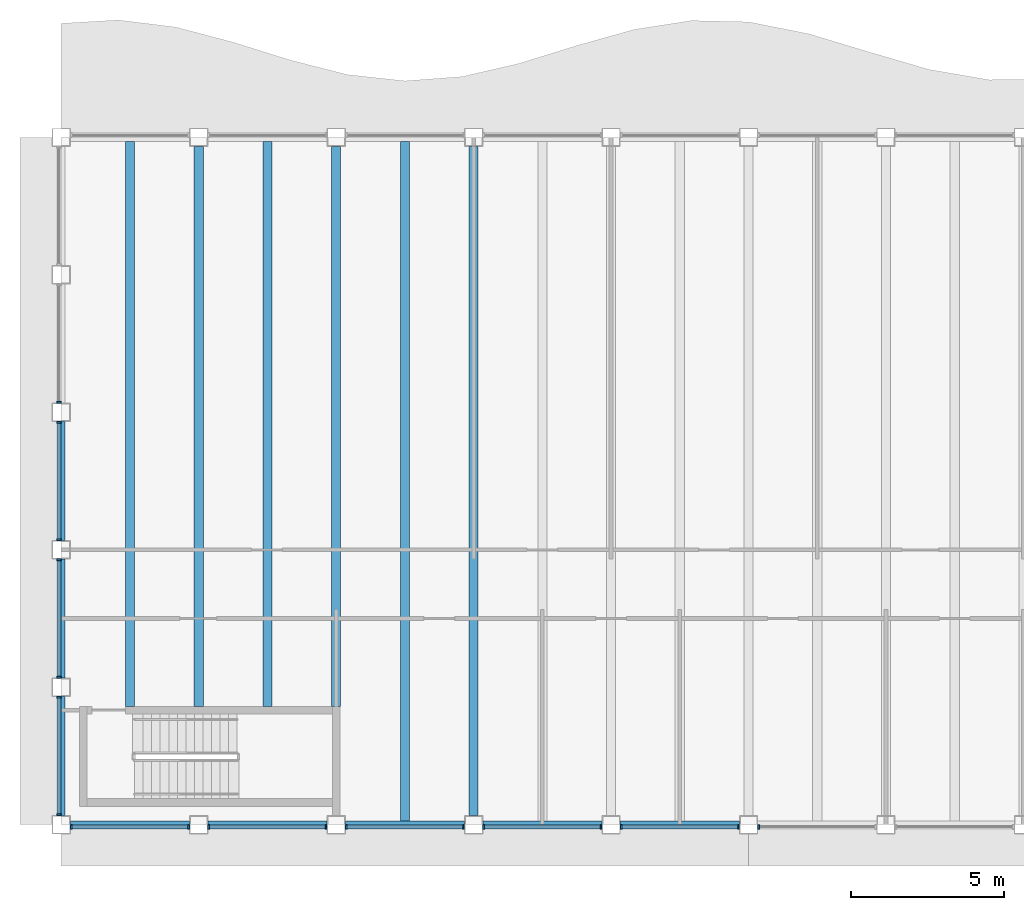
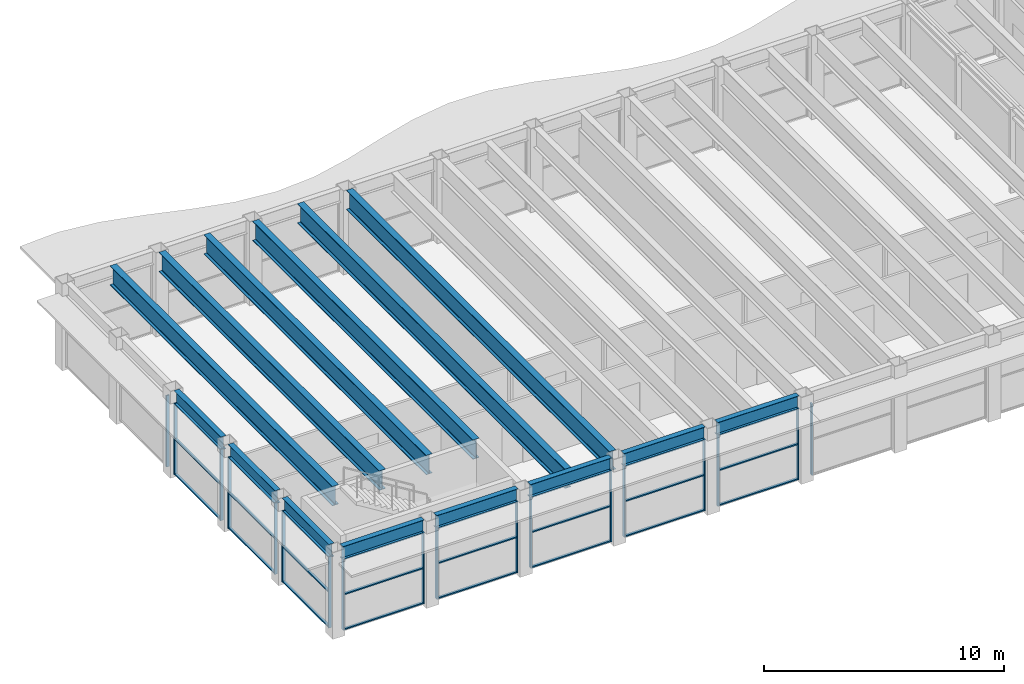
# One storey, part 2 of 15: 42 members, 14 beams, 10 elements without a shape of their own.
"""IFC4 building model written with IfcOpenShell, lengths in metres."""

from ifc_helpers import new_model, si_unit, direction, frame, origin, origin_2d, place, context, subcontext, project, spatial, rectangle, i_section, extrude, material, material_profile, profile_set, type_object, element, aggregate, save


model = new_model("IFC4")

# Units and contexts
model_context = context("Model", 3, precision=1e-05, world=origin(), true_north=direction((0.0, 1.0)))
body_context = subcontext(model_context, "Body", "Model", "MODEL_VIEW")
ifc_project = project(units=[si_unit("LENGTHUNIT", "METRE"), si_unit("AREAUNIT", "SQUARE_METRE"), si_unit("VOLUMEUNIT", "CUBIC_METRE"), si_unit("PLANEANGLEUNIT", "RADIAN"), si_unit("MASSUNIT", "GRAM", prefix="KILO")], contexts=[model_context])

# Site, building, storey
site_placement = place(None, origin())
site = spatial("IfcSite", under=ifc_project, at=site_placement, CompositionType="ELEMENT")
building_placement = place(site_placement, origin())
building = spatial("IfcBuilding", under=site, at=building_placement, Name="Sennacour Bend Tower", CompositionType="ELEMENT")
storey_placement = place(building_placement, frame((0.0, 0.0, 341.0)))
storey = spatial("IfcBuildingStorey", under=building, at=storey_placement, Name="L78", CompositionType="ELEMENT", Elevation=341.0)

# Curtain wall, members
ifc_material_1 = material(Name="Bronze anodised aluminium curtain wall with clear glass", Category="aluminium")
curtain_wall_type = type_object("IfcCurtainWallType", Name="CURTAIN WALL EXEC", PredefinedType="NOTDEFINED", material=ifc_material_1)
curtain_wall_1_placement = place(storey_placement, origin())
curtain_wall_1 = element("IfcCurtainWall", 1, at=curtain_wall_1_placement, inside=storey, type_object=curtain_wall_type, Name="Executive floor glass wall L78", PredefinedType="NOTDEFINED")
ifc_material_2 = material(Name="Aluminium 6063-T6", Category="aluminium")
ifc_material_profile_1 = material_profile(ifc_material_2, rectangle(XDim=0.14990234375, YDim=0.06005859375, at=origin_2d()), Name="Aluminium 6063-T6", Category="aluminium")
ifc_profile_set_1 = profile_set([ifc_material_profile_1], Name="Aluminium 6063-T6")
member_type_1 = type_object("IfcMemberType", Name="CW-MULLION-150X60", PredefinedType="MULLION", material=ifc_profile_set_1)
member_1_placement = place(storey_placement, frame((0.330078125, -0.074951171875, 0.0), z_axis=(0.0, 0.0, 1.0), x_axis=(0.0, 1.0, 0.0)))
member_1 = element("IfcMember", 2, at=member_1_placement, type_object=member_type_1, Name="GW3 curtain wall mullion 1", PredefinedType="MULLION", context=body_context, shape_type="SweptSolid", body=[
    extrude(rectangle(XDim=0.14990234375, YDim=0.06005859375, at=origin_2d()), origin(), (0.0, 0.0, 1.0), 3.6220703125),
])
member_2_placement = place(storey_placement, frame((4.169921875, -0.074951171875, 0.0), z_axis=(0.0, 0.0, 1.0), x_axis=(0.0, 1.0, 0.0)))
member_2 = element("IfcMember", 3, at=member_2_placement, type_object=member_type_1, Name="GW3 curtain wall mullion 2", PredefinedType="MULLION", context=body_context, shape_type="SweptSolid", body=[
    extrude(rectangle(XDim=0.14990234375, YDim=0.06005859375, at=origin_2d()), origin(), (0.0, 0.0, 1.0), 3.6220703125),
])

curtain_wall_2_placement = place(storey_placement, origin())
curtain_wall_2 = element("IfcCurtainWall", 4, at=curtain_wall_2_placement, inside=storey, type_object=curtain_wall_type, Name="Executive floor glass wall L78", PredefinedType="NOTDEFINED")
member_3_placement = place(storey_placement, frame((4.830078125, -0.074951171875, 0.0), z_axis=(0.0, 0.0, 1.0), x_axis=(0.0, 1.0, 0.0)))
member_3 = element("IfcMember", 5, at=member_3_placement, type_object=member_type_1, Name="GW3 curtain wall mullion 1", PredefinedType="MULLION", context=body_context, shape_type="SweptSolid", body=[
    extrude(rectangle(XDim=0.14990234375, YDim=0.06005859375, at=origin_2d()), origin(), (0.0, 0.0, 1.0), 3.6220703125),
])
member_4_placement = place(storey_placement, frame((8.669921875, -0.074951171875, 0.0), z_axis=(0.0, 0.0, 1.0), x_axis=(0.0, 1.0, 0.0)))
member_4 = element("IfcMember", 6, at=member_4_placement, type_object=member_type_1, Name="GW3 curtain wall mullion 2", PredefinedType="MULLION", context=body_context, shape_type="SweptSolid", body=[
    extrude(rectangle(XDim=0.14990234375, YDim=0.06005859375, at=origin_2d()), origin(), (0.0, 0.0, 1.0), 3.6220703125),
])

curtain_wall_3_placement = place(storey_placement, origin())
curtain_wall_3 = element("IfcCurtainWall", 7, at=curtain_wall_3_placement, inside=storey, type_object=curtain_wall_type, Name="Executive floor glass wall L78", PredefinedType="NOTDEFINED")
member_5_placement = place(storey_placement, frame((9.330078125, -0.074951171875, 0.0), z_axis=(0.0, 0.0, 1.0), x_axis=(0.0, 1.0, 0.0)))
member_5 = element("IfcMember", 8, at=member_5_placement, type_object=member_type_1, Name="GW3 curtain wall mullion 1", PredefinedType="MULLION", context=body_context, shape_type="SweptSolid", body=[
    extrude(rectangle(XDim=0.14990234375, YDim=0.06005859375, at=origin_2d()), origin(), (0.0, 0.0, 1.0), 3.6220703125),
])
member_6_placement = place(storey_placement, frame((13.169921875, -0.074951171875, 0.0), z_axis=(0.0, 0.0, 1.0), x_axis=(0.0, 1.0, 0.0)))
member_6 = element("IfcMember", 9, at=member_6_placement, type_object=member_type_1, Name="GW3 curtain wall mullion 2", PredefinedType="MULLION", context=body_context, shape_type="SweptSolid", body=[
    extrude(rectangle(XDim=0.14990234375, YDim=0.06005859375, at=origin_2d()), origin(), (0.0, 0.0, 1.0), 3.6220703125),
])

curtain_wall_4_placement = place(storey_placement, origin())
curtain_wall_4 = element("IfcCurtainWall", 10, at=curtain_wall_4_placement, inside=storey, type_object=curtain_wall_type, Name="Executive floor glass wall L78", PredefinedType="NOTDEFINED")
member_7_placement = place(storey_placement, frame((13.830078125, -0.074951171875, 0.0), z_axis=(0.0, 0.0, 1.0), x_axis=(0.0, 1.0, 0.0)))
member_7 = element("IfcMember", 11, at=member_7_placement, type_object=member_type_1, Name="GW3 curtain wall mullion 1", PredefinedType="MULLION", context=body_context, shape_type="SweptSolid", body=[
    extrude(rectangle(XDim=0.14990234375, YDim=0.06005859375, at=origin_2d()), origin(), (0.0, 0.0, 1.0), 3.6220703125),
])
member_8_placement = place(storey_placement, frame((17.669921875, -0.074951171875, 0.0), z_axis=(0.0, 0.0, 1.0), x_axis=(0.0, 1.0, 0.0)))
member_8 = element("IfcMember", 12, at=member_8_placement, type_object=member_type_1, Name="GW3 curtain wall mullion 2", PredefinedType="MULLION", context=body_context, shape_type="SweptSolid", body=[
    extrude(rectangle(XDim=0.14990234375, YDim=0.06005859375, at=origin_2d()), origin(), (0.0, 0.0, 1.0), 3.6220703125),
])

curtain_wall_5_placement = place(storey_placement, origin())
curtain_wall_5 = element("IfcCurtainWall", 13, at=curtain_wall_5_placement, inside=storey, type_object=curtain_wall_type, Name="Executive floor glass wall L78", PredefinedType="NOTDEFINED")
member_9_placement = place(storey_placement, frame((18.330078125, -0.074951171875, 0.0), z_axis=(0.0, 0.0, 1.0), x_axis=(0.0, 1.0, 0.0)))
member_9 = element("IfcMember", 14, at=member_9_placement, type_object=member_type_1, Name="GW3 curtain wall mullion 1", PredefinedType="MULLION", context=body_context, shape_type="SweptSolid", body=[
    extrude(rectangle(XDim=0.14990234375, YDim=0.06005859375, at=origin_2d()), origin(), (0.0, 0.0, 1.0), 3.6220703125),
])
member_10_placement = place(storey_placement, frame((22.169921875, -0.074951171875, 0.0), z_axis=(0.0, 0.0, 1.0), x_axis=(0.0, 1.0, 0.0)))
member_10 = element("IfcMember", 15, at=member_10_placement, type_object=member_type_1, Name="GW3 curtain wall mullion 2", PredefinedType="MULLION", context=body_context, shape_type="SweptSolid", body=[
    extrude(rectangle(XDim=0.14990234375, YDim=0.06005859375, at=origin_2d()), origin(), (0.0, 0.0, 1.0), 3.6220703125),
])

# Curtain wall, member
curtain_wall_6_placement = place(storey_placement, origin())
curtain_wall_6 = element("IfcCurtainWall", 16, at=curtain_wall_6_placement, inside=storey, type_object=curtain_wall_type, Name="Executive floor glass wall L78", PredefinedType="NOTDEFINED")
member_11_placement = place(storey_placement, frame((22.830078125, -0.074951171875, 0.0), z_axis=(0.0, 0.0, 1.0), x_axis=(0.0, 1.0, 0.0)))
member_11 = element("IfcMember", 17, at=member_11_placement, type_object=member_type_1, Name="GW3 curtain wall mullion 1", PredefinedType="MULLION", context=body_context, shape_type="SweptSolid", body=[
    extrude(rectangle(XDim=0.14990234375, YDim=0.06005859375, at=origin_2d()), origin(), (0.0, 0.0, 1.0), 3.6220703125),
])
aggregate(curtain_wall_6, [member_11])

curtain_wall_7_placement = place(storey_placement, origin())
curtain_wall_7 = element("IfcCurtainWall", 18, at=curtain_wall_7_placement, inside=storey, type_object=curtain_wall_type, Name="Executive floor glass wall L78", PredefinedType="NOTDEFINED")
member_12_placement = place(storey_placement, frame((-0.074951171875, 13.830078125, 0.0), z_axis=(0.0, 0.0, 1.0), x_axis=(1.0, 0.0, 0.0)))
member_12 = element("IfcMember", 19, at=member_12_placement, type_object=member_type_1, Name="GW3 curtain wall mullion 2", PredefinedType="MULLION", context=body_context, shape_type="SweptSolid", body=[
    extrude(rectangle(XDim=0.14990234375, YDim=0.06005859375, at=origin_2d()), origin(), (0.0, 0.0, 1.0), 3.6220703125),
])
aggregate(curtain_wall_7, [member_12])

# Curtain wall, members
curtain_wall_8_placement = place(storey_placement, origin())
curtain_wall_8 = element("IfcCurtainWall", 20, at=curtain_wall_8_placement, inside=storey, type_object=curtain_wall_type, Name="Executive floor glass wall L78", PredefinedType="NOTDEFINED")
member_13_placement = place(storey_placement, frame((-0.074951171875, 13.169921875, 0.0), z_axis=(0.0, 0.0, 1.0), x_axis=(1.0, 0.0, 0.0)))
member_13 = element("IfcMember", 21, at=member_13_placement, type_object=member_type_1, Name="GW3 curtain wall mullion 1", PredefinedType="MULLION", context=body_context, shape_type="SweptSolid", body=[
    extrude(rectangle(XDim=0.14990234375, YDim=0.06005859375, at=origin_2d()), origin(), (0.0, 0.0, 1.0), 3.6220703125),
])
member_14_placement = place(storey_placement, frame((-0.074951171875, 9.330078125, 0.0), z_axis=(0.0, 0.0, 1.0), x_axis=(1.0, 0.0, 0.0)))
member_14 = element("IfcMember", 22, at=member_14_placement, type_object=member_type_1, Name="GW3 curtain wall mullion 2", PredefinedType="MULLION", context=body_context, shape_type="SweptSolid", body=[
    extrude(rectangle(XDim=0.14990234375, YDim=0.06005859375, at=origin_2d()), origin(), (0.0, 0.0, 1.0), 3.6220703125),
])

curtain_wall_9_placement = place(storey_placement, origin())
curtain_wall_9 = element("IfcCurtainWall", 23, at=curtain_wall_9_placement, inside=storey, type_object=curtain_wall_type, Name="Executive floor glass wall L78", PredefinedType="NOTDEFINED")
member_15_placement = place(storey_placement, frame((-0.074951171875, 8.669921875, 0.0), z_axis=(0.0, 0.0, 1.0), x_axis=(1.0, 0.0, 0.0)))
member_15 = element("IfcMember", 24, at=member_15_placement, type_object=member_type_1, Name="GW3 curtain wall mullion 1", PredefinedType="MULLION", context=body_context, shape_type="SweptSolid", body=[
    extrude(rectangle(XDim=0.14990234375, YDim=0.06005859375, at=origin_2d()), origin(), (0.0, 0.0, 1.0), 3.6220703125),
])
member_16_placement = place(storey_placement, frame((-0.074951171875, 4.830078125, 0.0), z_axis=(0.0, 0.0, 1.0), x_axis=(1.0, 0.0, 0.0)))
member_16 = element("IfcMember", 25, at=member_16_placement, type_object=member_type_1, Name="GW3 curtain wall mullion 2", PredefinedType="MULLION", context=body_context, shape_type="SweptSolid", body=[
    extrude(rectangle(XDim=0.14990234375, YDim=0.06005859375, at=origin_2d()), origin(), (0.0, 0.0, 1.0), 3.6220703125),
])

curtain_wall_10_placement = place(storey_placement, origin())
curtain_wall_10 = element("IfcCurtainWall", 26, at=curtain_wall_10_placement, inside=storey, type_object=curtain_wall_type, Name="Executive floor glass wall L78", PredefinedType="NOTDEFINED")
member_17_placement = place(storey_placement, frame((-0.074951171875, 4.169921875, 0.0), z_axis=(0.0, 0.0, 1.0), x_axis=(1.0, 0.0, 0.0)))
member_17 = element("IfcMember", 27, at=member_17_placement, type_object=member_type_1, Name="GW3 curtain wall mullion 1", PredefinedType="MULLION", context=body_context, shape_type="SweptSolid", body=[
    extrude(rectangle(XDim=0.14990234375, YDim=0.06005859375, at=origin_2d()), origin(), (0.0, 0.0, 1.0), 3.6220703125),
])
member_18_placement = place(storey_placement, frame((-0.074951171875, 0.330078125, 0.0), z_axis=(0.0, 0.0, 1.0), x_axis=(1.0, 0.0, 0.0)))
member_18 = element("IfcMember", 28, at=member_18_placement, type_object=member_type_1, Name="GW3 curtain wall mullion 2", PredefinedType="MULLION", context=body_context, shape_type="SweptSolid", body=[
    extrude(rectangle(XDim=0.14990234375, YDim=0.06005859375, at=origin_2d()), origin(), (0.0, 0.0, 1.0), 3.6220703125),
])

# Member
ifc_material_profile_2 = material_profile(ifc_material_2, rectangle(XDim=0.1201171875, YDim=0.06005859375, at=origin_2d()), Name="Aluminium 6063-T6", Category="aluminium")
ifc_profile_set_2 = profile_set([ifc_material_profile_2], Name="Aluminium 6063-T6")
member_type_2 = type_object("IfcMemberType", Name="CW-TRANSOM-120X60", PredefinedType="USERDEFINED", material=ifc_profile_set_2)
member_19_placement = place(storey_placement, frame((0.360107421875, -0.074951171875, 0.030029296875), z_axis=(1.0, 0.0, 0.0), x_axis=(0.0, 1.0, 0.0)))
member_19 = element("IfcMember", 29, at=member_19_placement, type_object=member_type_2, Name="GW3 curtain wall transom 1.1", ObjectType="TRANSOM", PredefinedType="USERDEFINED", context=body_context, shape_type="SweptSolid", body=[
    extrude(rectangle(XDim=0.1201171875, YDim=0.06005859375, at=origin_2d()), origin(), (0.0, 0.0, 1.0), 3.77978515625),
])

member_20_placement = place(storey_placement, frame((0.360107421875, -0.074951171875, 1.81103515625), z_axis=(1.0, 0.0, 0.0), x_axis=(0.0, 1.0, 0.0)))
member_20 = element("IfcMember", 30, at=member_20_placement, type_object=member_type_2, Name="GW3 curtain wall transom 1.2", ObjectType="TRANSOM", PredefinedType="USERDEFINED", context=body_context, shape_type="SweptSolid", body=[
    extrude(rectangle(XDim=0.1201171875, YDim=0.06005859375, at=origin_2d()), origin(), (0.0, 0.0, 1.0), 3.77978515625),
])

member_21_placement = place(storey_placement, frame((0.360107421875, -0.074951171875, 3.592041015625), z_axis=(1.0, 0.0, 0.0), x_axis=(0.0, 1.0, 0.0)))
member_21 = element("IfcMember", 31, at=member_21_placement, type_object=member_type_2, Name="GW3 curtain wall transom 1.3", ObjectType="TRANSOM", PredefinedType="USERDEFINED", context=body_context, shape_type="SweptSolid", body=[
    extrude(rectangle(XDim=0.1201171875, YDim=0.06005859375, at=origin_2d()), origin(), (0.0, 0.0, 1.0), 3.77978515625),
])

aggregate(curtain_wall_1, [member_1, member_2, member_19, member_20, member_21])

member_22_placement = place(storey_placement, frame((4.860107421875, -0.074951171875, 0.030029296875), z_axis=(1.0, 0.0, 0.0), x_axis=(0.0, 1.0, 0.0)))
member_22 = element("IfcMember", 32, at=member_22_placement, type_object=member_type_2, Name="GW3 curtain wall transom 1.1", ObjectType="TRANSOM", PredefinedType="USERDEFINED", context=body_context, shape_type="SweptSolid", body=[
    extrude(rectangle(XDim=0.1201171875, YDim=0.06005859375, at=origin_2d()), origin(), (0.0, 0.0, 1.0), 3.77978515625),
])

member_23_placement = place(storey_placement, frame((4.860107421875, -0.074951171875, 1.81103515625), z_axis=(1.0, 0.0, 0.0), x_axis=(0.0, 1.0, 0.0)))
member_23 = element("IfcMember", 33, at=member_23_placement, type_object=member_type_2, Name="GW3 curtain wall transom 1.2", ObjectType="TRANSOM", PredefinedType="USERDEFINED", context=body_context, shape_type="SweptSolid", body=[
    extrude(rectangle(XDim=0.1201171875, YDim=0.06005859375, at=origin_2d()), origin(), (0.0, 0.0, 1.0), 3.77978515625),
])

member_24_placement = place(storey_placement, frame((4.860107421875, -0.074951171875, 3.592041015625), z_axis=(1.0, 0.0, 0.0), x_axis=(0.0, 1.0, 0.0)))
member_24 = element("IfcMember", 34, at=member_24_placement, type_object=member_type_2, Name="GW3 curtain wall transom 1.3", ObjectType="TRANSOM", PredefinedType="USERDEFINED", context=body_context, shape_type="SweptSolid", body=[
    extrude(rectangle(XDim=0.1201171875, YDim=0.06005859375, at=origin_2d()), origin(), (0.0, 0.0, 1.0), 3.77978515625),
])

aggregate(curtain_wall_2, [member_3, member_4, member_22, member_23, member_24])

member_25_placement = place(storey_placement, frame((9.360107421875, -0.074951171875, 0.030029296875), z_axis=(1.0, 0.0, 0.0), x_axis=(0.0, 1.0, 0.0)))
member_25 = element("IfcMember", 35, at=member_25_placement, type_object=member_type_2, Name="GW3 curtain wall transom 1.1", ObjectType="TRANSOM", PredefinedType="USERDEFINED", context=body_context, shape_type="SweptSolid", body=[
    extrude(rectangle(XDim=0.1201171875, YDim=0.06005859375, at=origin_2d()), origin(), (0.0, 0.0, 1.0), 3.77978515625),
])

member_26_placement = place(storey_placement, frame((9.360107421875, -0.074951171875, 1.81103515625), z_axis=(1.0, 0.0, 0.0), x_axis=(0.0, 1.0, 0.0)))
member_26 = element("IfcMember", 36, at=member_26_placement, type_object=member_type_2, Name="GW3 curtain wall transom 1.2", ObjectType="TRANSOM", PredefinedType="USERDEFINED", context=body_context, shape_type="SweptSolid", body=[
    extrude(rectangle(XDim=0.1201171875, YDim=0.06005859375, at=origin_2d()), origin(), (0.0, 0.0, 1.0), 3.77978515625),
])

member_27_placement = place(storey_placement, frame((9.360107421875, -0.074951171875, 3.592041015625), z_axis=(1.0, 0.0, 0.0), x_axis=(0.0, 1.0, 0.0)))
member_27 = element("IfcMember", 37, at=member_27_placement, type_object=member_type_2, Name="GW3 curtain wall transom 1.3", ObjectType="TRANSOM", PredefinedType="USERDEFINED", context=body_context, shape_type="SweptSolid", body=[
    extrude(rectangle(XDim=0.1201171875, YDim=0.06005859375, at=origin_2d()), origin(), (0.0, 0.0, 1.0), 3.77978515625),
])

aggregate(curtain_wall_3, [member_5, member_6, member_25, member_26, member_27])

member_28_placement = place(storey_placement, frame((13.860107421875, -0.074951171875, 0.030029296875), z_axis=(1.0, 0.0, 0.0), x_axis=(0.0, 1.0, 0.0)))
member_28 = element("IfcMember", 38, at=member_28_placement, type_object=member_type_2, Name="GW3 curtain wall transom 1.1", ObjectType="TRANSOM", PredefinedType="USERDEFINED", context=body_context, shape_type="SweptSolid", body=[
    extrude(rectangle(XDim=0.1201171875, YDim=0.06005859375, at=origin_2d()), origin(), (0.0, 0.0, 1.0), 3.77978515625),
])

member_29_placement = place(storey_placement, frame((13.860107421875, -0.074951171875, 1.81103515625), z_axis=(1.0, 0.0, 0.0), x_axis=(0.0, 1.0, 0.0)))
member_29 = element("IfcMember", 39, at=member_29_placement, type_object=member_type_2, Name="GW3 curtain wall transom 1.2", ObjectType="TRANSOM", PredefinedType="USERDEFINED", context=body_context, shape_type="SweptSolid", body=[
    extrude(rectangle(XDim=0.1201171875, YDim=0.06005859375, at=origin_2d()), origin(), (0.0, 0.0, 1.0), 3.77978515625),
])

member_30_placement = place(storey_placement, frame((13.860107421875, -0.074951171875, 3.592041015625), z_axis=(1.0, 0.0, 0.0), x_axis=(0.0, 1.0, 0.0)))
member_30 = element("IfcMember", 40, at=member_30_placement, type_object=member_type_2, Name="GW3 curtain wall transom 1.3", ObjectType="TRANSOM", PredefinedType="USERDEFINED", context=body_context, shape_type="SweptSolid", body=[
    extrude(rectangle(XDim=0.1201171875, YDim=0.06005859375, at=origin_2d()), origin(), (0.0, 0.0, 1.0), 3.77978515625),
])

aggregate(curtain_wall_4, [member_7, member_8, member_28, member_29, member_30])

member_31_placement = place(storey_placement, frame((18.360107421875, -0.074951171875, 0.030029296875), z_axis=(1.0, 0.0, 0.0), x_axis=(0.0, 1.0, 0.0)))
member_31 = element("IfcMember", 41, at=member_31_placement, type_object=member_type_2, Name="GW3 curtain wall transom 1.1", ObjectType="TRANSOM", PredefinedType="USERDEFINED", context=body_context, shape_type="SweptSolid", body=[
    extrude(rectangle(XDim=0.1201171875, YDim=0.06005859375, at=origin_2d()), origin(), (0.0, 0.0, 1.0), 3.77978515625),
])

member_32_placement = place(storey_placement, frame((18.360107421875, -0.074951171875, 1.81103515625), z_axis=(1.0, 0.0, 0.0), x_axis=(0.0, 1.0, 0.0)))
member_32 = element("IfcMember", 42, at=member_32_placement, type_object=member_type_2, Name="GW3 curtain wall transom 1.2", ObjectType="TRANSOM", PredefinedType="USERDEFINED", context=body_context, shape_type="SweptSolid", body=[
    extrude(rectangle(XDim=0.1201171875, YDim=0.06005859375, at=origin_2d()), origin(), (0.0, 0.0, 1.0), 3.77978515625),
])

member_33_placement = place(storey_placement, frame((18.360107421875, -0.074951171875, 3.592041015625), z_axis=(1.0, 0.0, 0.0), x_axis=(0.0, 1.0, 0.0)))
member_33 = element("IfcMember", 43, at=member_33_placement, type_object=member_type_2, Name="GW3 curtain wall transom 1.3", ObjectType="TRANSOM", PredefinedType="USERDEFINED", context=body_context, shape_type="SweptSolid", body=[
    extrude(rectangle(XDim=0.1201171875, YDim=0.06005859375, at=origin_2d()), origin(), (0.0, 0.0, 1.0), 3.77978515625),
])

aggregate(curtain_wall_5, [member_9, member_10, member_31, member_32, member_33])

member_34_placement = place(storey_placement, frame((-0.074951171875, 13.139892578125, 0.030029296875), z_axis=(0.0, -1.0, 0.0), x_axis=(1.0, 0.0, 0.0)))
member_34 = element("IfcMember", 44, at=member_34_placement, type_object=member_type_2, Name="GW3 curtain wall transom 1.1", ObjectType="TRANSOM", PredefinedType="USERDEFINED", context=body_context, shape_type="SweptSolid", body=[
    extrude(rectangle(XDim=0.1201171875, YDim=0.06005859375, at=origin_2d()), origin(), (0.0, 0.0, 1.0), 3.77978515625),
])

member_35_placement = place(storey_placement, frame((-0.074951171875, 13.139892578125, 1.81103515625), z_axis=(0.0, -1.0, 0.0), x_axis=(1.0, 0.0, 0.0)))
member_35 = element("IfcMember", 45, at=member_35_placement, type_object=member_type_2, Name="GW3 curtain wall transom 1.2", ObjectType="TRANSOM", PredefinedType="USERDEFINED", context=body_context, shape_type="SweptSolid", body=[
    extrude(rectangle(XDim=0.1201171875, YDim=0.06005859375, at=origin_2d()), origin(), (0.0, 0.0, 1.0), 3.77978515625),
])

member_36_placement = place(storey_placement, frame((-0.074951171875, 13.139892578125, 3.592041015625), z_axis=(0.0, -1.0, 0.0), x_axis=(1.0, 0.0, 0.0)))
member_36 = element("IfcMember", 46, at=member_36_placement, type_object=member_type_2, Name="GW3 curtain wall transom 1.3", ObjectType="TRANSOM", PredefinedType="USERDEFINED", context=body_context, shape_type="SweptSolid", body=[
    extrude(rectangle(XDim=0.1201171875, YDim=0.06005859375, at=origin_2d()), origin(), (0.0, 0.0, 1.0), 3.77978515625),
])

aggregate(curtain_wall_8, [member_13, member_14, member_34, member_35, member_36])

member_37_placement = place(storey_placement, frame((-0.074951171875, 8.639892578125, 0.030029296875), z_axis=(0.0, -1.0, 0.0), x_axis=(1.0, 0.0, 0.0)))
member_37 = element("IfcMember", 47, at=member_37_placement, type_object=member_type_2, Name="GW3 curtain wall transom 1.1", ObjectType="TRANSOM", PredefinedType="USERDEFINED", context=body_context, shape_type="SweptSolid", body=[
    extrude(rectangle(XDim=0.1201171875, YDim=0.06005859375, at=origin_2d()), origin(), (0.0, 0.0, 1.0), 3.77978515625),
])

member_38_placement = place(storey_placement, frame((-0.074951171875, 8.639892578125, 1.81103515625), z_axis=(0.0, -1.0, 0.0), x_axis=(1.0, 0.0, 0.0)))
member_38 = element("IfcMember", 48, at=member_38_placement, type_object=member_type_2, Name="GW3 curtain wall transom 1.2", ObjectType="TRANSOM", PredefinedType="USERDEFINED", context=body_context, shape_type="SweptSolid", body=[
    extrude(rectangle(XDim=0.1201171875, YDim=0.06005859375, at=origin_2d()), origin(), (0.0, 0.0, 1.0), 3.77978515625),
])

member_39_placement = place(storey_placement, frame((-0.074951171875, 8.639892578125, 3.592041015625), z_axis=(0.0, -1.0, 0.0), x_axis=(1.0, 0.0, 0.0)))
member_39 = element("IfcMember", 49, at=member_39_placement, type_object=member_type_2, Name="GW3 curtain wall transom 1.3", ObjectType="TRANSOM", PredefinedType="USERDEFINED", context=body_context, shape_type="SweptSolid", body=[
    extrude(rectangle(XDim=0.1201171875, YDim=0.06005859375, at=origin_2d()), origin(), (0.0, 0.0, 1.0), 3.77978515625),
])

aggregate(curtain_wall_9, [member_15, member_16, member_37, member_38, member_39])

member_40_placement = place(storey_placement, frame((-0.074951171875, 4.139892578125, 0.030029296875), z_axis=(0.0, -1.0, 0.0), x_axis=(1.0, 0.0, 0.0)))
member_40 = element("IfcMember", 50, at=member_40_placement, type_object=member_type_2, Name="GW3 curtain wall transom 1.1", ObjectType="TRANSOM", PredefinedType="USERDEFINED", context=body_context, shape_type="SweptSolid", body=[
    extrude(rectangle(XDim=0.1201171875, YDim=0.06005859375, at=origin_2d()), origin(), (0.0, 0.0, 1.0), 3.77978515625),
])

member_41_placement = place(storey_placement, frame((-0.074951171875, 4.139892578125, 1.81103515625), z_axis=(0.0, -1.0, 0.0), x_axis=(1.0, 0.0, 0.0)))
member_41 = element("IfcMember", 51, at=member_41_placement, type_object=member_type_2, Name="GW3 curtain wall transom 1.2", ObjectType="TRANSOM", PredefinedType="USERDEFINED", context=body_context, shape_type="SweptSolid", body=[
    extrude(rectangle(XDim=0.1201171875, YDim=0.06005859375, at=origin_2d()), origin(), (0.0, 0.0, 1.0), 3.77978515625),
])

member_42_placement = place(storey_placement, frame((-0.074951171875, 4.139892578125, 3.592041015625), z_axis=(0.0, -1.0, 0.0), x_axis=(1.0, 0.0, 0.0)))
member_42 = element("IfcMember", 52, at=member_42_placement, type_object=member_type_2, Name="GW3 curtain wall transom 1.3", ObjectType="TRANSOM", PredefinedType="USERDEFINED", context=body_context, shape_type="SweptSolid", body=[
    extrude(rectangle(XDim=0.1201171875, YDim=0.06005859375, at=origin_2d()), origin(), (0.0, 0.0, 1.0), 3.77978515625),
])

aggregate(curtain_wall_10, [member_17, member_18, member_40, member_41, member_42])

# Beams
ifc_material_3 = material(Name="Steel ASTM A992 Grade 50", Category="steel")
ifc_material_profile_3 = material_profile(ifc_material_3, i_section(OverallWidth=0.300048828125, OverallDepth=0.990966796875, WebThickness=0.0166015625, FlangeThickness=0.030517578125, FilletRadius=0.030029296875, at=origin_2d()), Name="Steel ASTM A992 Grade 50", Category="steel")
ifc_profile_set_3 = profile_set([ifc_material_profile_3], Name="Steel ASTM A992 Grade 50")
beam_type_1 = type_object("IfcBeamType", Name="Floor beam W1000X272", PredefinedType="BEAM", material=ifc_profile_set_3)
beam_1_placement = place(storey_placement, frame((2.25, 3.875, 3.75439453125), z_axis=(0.0, 1.0, 0.0), x_axis=(-1.0, 0.0, 0.0)))
element("IfcBeam", 53, at=beam_1_placement, inside=storey, type_object=beam_type_1, Name="Floor beam FBM3 L79-001", PredefinedType="BEAM", context=body_context, shape_type="SweptSolid", body=[
    extrude(i_section(OverallWidth=0.300048828125, OverallDepth=0.990966796875, WebThickness=0.0166015625, FlangeThickness=0.030517578125, FilletRadius=0.030029296875, at=origin_2d()), origin(), (0.0, 0.0, 1.0), 18.498046875),
])
beam_2_placement = place(storey_placement, frame((4.5, 3.875, 3.75439453125), z_axis=(0.0, 1.0, 0.0), x_axis=(-1.0, 0.0, 0.0)))
element("IfcBeam", 54, at=beam_2_placement, inside=storey, type_object=beam_type_1, Name="Floor beam FBM3 L79-002", PredefinedType="BEAM", context=body_context, shape_type="SweptSolid", body=[
    extrude(i_section(OverallWidth=0.300048828125, OverallDepth=0.990966796875, WebThickness=0.0166015625, FlangeThickness=0.030517578125, FilletRadius=0.030029296875, at=origin_2d()), origin(), (0.0, 0.0, 1.0), 18.324951171875),
])
beam_3_placement = place(storey_placement, frame((6.75, 3.875, 3.75439453125), z_axis=(0.0, 1.0, 0.0), x_axis=(-1.0, 0.0, 0.0)))
element("IfcBeam", 55, at=beam_3_placement, inside=storey, type_object=beam_type_1, Name="Floor beam FBM3 L79-003", PredefinedType="BEAM", context=body_context, shape_type="SweptSolid", body=[
    extrude(i_section(OverallWidth=0.300048828125, OverallDepth=0.990966796875, WebThickness=0.0166015625, FlangeThickness=0.030517578125, FilletRadius=0.030029296875, at=origin_2d()), origin(), (0.0, 0.0, 1.0), 18.498046875),
])
beam_4_placement = place(storey_placement, frame((9.0, 3.875, 3.75439453125), z_axis=(0.0, 1.0, 0.0), x_axis=(-1.0, 0.0, 0.0)))
element("IfcBeam", 56, at=beam_4_placement, inside=storey, type_object=beam_type_1, Name="Floor beam FBM3 L79-004", PredefinedType="BEAM", context=body_context, shape_type="SweptSolid", body=[
    extrude(i_section(OverallWidth=0.300048828125, OverallDepth=0.990966796875, WebThickness=0.0166015625, FlangeThickness=0.030517578125, FilletRadius=0.030029296875, at=origin_2d()), origin(), (0.0, 0.0, 1.0), 18.324951171875),
])
beam_5_placement = place(storey_placement, frame((11.25, 0.126953125, 3.75439453125), z_axis=(0.0, 1.0, 0.0), x_axis=(-1.0, 0.0, 0.0)))
element("IfcBeam", 57, at=beam_5_placement, inside=storey, type_object=beam_type_1, Name="Floor beam FBM3 L79-005", PredefinedType="BEAM", context=body_context, shape_type="SweptSolid", body=[
    extrude(i_section(OverallWidth=0.300048828125, OverallDepth=0.990966796875, WebThickness=0.0166015625, FlangeThickness=0.030517578125, FilletRadius=0.030029296875, at=origin_2d()), origin(), (0.0, 0.0, 1.0), 22.24609375),
])
beam_6_placement = place(storey_placement, frame((13.5, 0.300048828125, 3.75439453125), z_axis=(0.0, 1.0, 0.0), x_axis=(-1.0, 0.0, 0.0)))
element("IfcBeam", 58, at=beam_6_placement, inside=storey, type_object=beam_type_1, Name="Floor beam FBM3 L79-006", PredefinedType="BEAM", context=body_context, shape_type="SweptSolid", body=[
    extrude(i_section(OverallWidth=0.300048828125, OverallDepth=0.990966796875, WebThickness=0.0166015625, FlangeThickness=0.030517578125, FilletRadius=0.030029296875, at=origin_2d()), origin(), (0.0, 0.0, 1.0), 21.89990234375),
])
ifc_material_profile_4 = material_profile(ifc_material_3, i_section(OverallWidth=0.25390625, OverallDepth=0.677978515625, WebThickness=0.01171875, FlangeThickness=0.016357421875, FilletRadius=0.01513671875, at=origin_2d()), Name="Steel ASTM A992 Grade 50", Category="steel")
ifc_profile_set_4 = profile_set([ifc_material_profile_4], Name="Steel ASTM A992 Grade 50")
beam_type_2 = type_object("IfcBeamType", Name="Spandrel beam W690X125", PredefinedType="SPANDREL", material=ifc_profile_set_4)
for number, where, z_axis, x_axis, name in (
    (59, (22.199951171875, 0.0, 3.910888671875), (-1.0, 0.0, 0.0), (0.0, -1.0, 0.0), "Spandrel beam SP7 L79-014"),
    (60, (17.699951171875, 0.0, 3.910888671875), (-1.0, 0.0, 0.0), (0.0, -1.0, 0.0), "Spandrel beam SP7 L79-015"),
    (61, (13.199951171875, 0.0, 3.910888671875), (-1.0, 0.0, 0.0), (0.0, -1.0, 0.0), "Spandrel beam SP7 L79-016"),
    (62, (8.699951171875, 0.0, 3.910888671875), (-1.0, 0.0, 0.0), (0.0, -1.0, 0.0), "Spandrel beam SP7 L79-017"),
    (63, (4.199951171875, 0.0, 3.910888671875), (-1.0, 0.0, 0.0), (0.0, -1.0, 0.0), "Spandrel beam SP7 L79-018"),
    (64, (0.0, 0.300048828125, 3.910888671875), (0.0, 1.0, 0.0), (-1.0, 0.0, 0.0), "Spandrel beam SP7 L79-019"),
    (65, (0.0, 4.800048828125, 3.910888671875), (0.0, 1.0, 0.0), (-1.0, 0.0, 0.0), "Spandrel beam SP7 L79-020"),
    (66, (0.0, 9.300048828125, 3.910888671875), (0.0, 1.0, 0.0), (-1.0, 0.0, 0.0), "Spandrel beam SP7 L79-021"),
):
    element("IfcBeam", number, at=place(storey_placement, frame(where, z_axis=z_axis, x_axis=x_axis)), inside=storey, type_object=beam_type_2, Name=name, PredefinedType="SPANDREL", context=body_context, shape_type="SweptSolid", body=[
        extrude(i_section(OverallWidth=0.25390625, OverallDepth=0.677978515625, WebThickness=0.01171875, FlangeThickness=0.016357421875, FilletRadius=0.01513671875, at=origin_2d()), origin(), (0.0, 0.0, 1.0), 3.89990234375),
    ])

save(model, "model.ifc")
